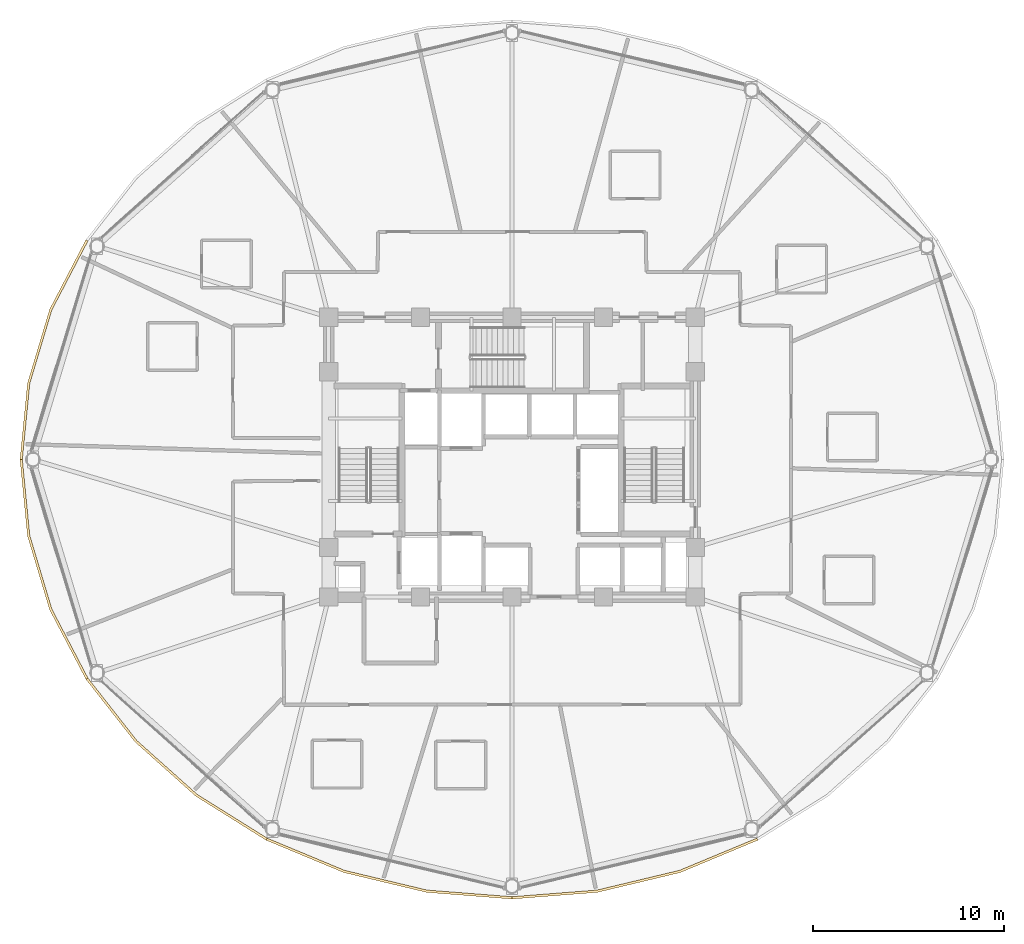
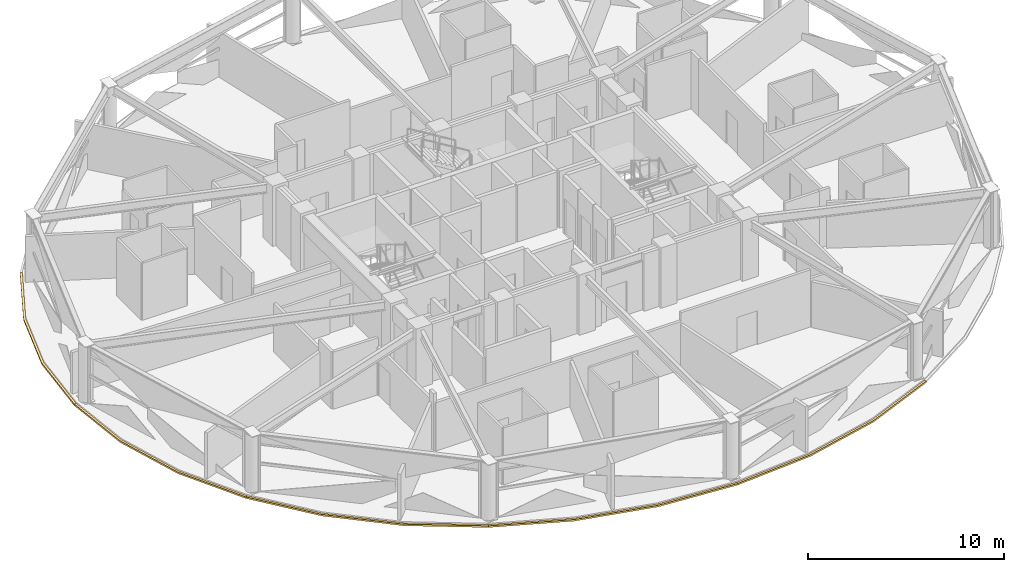
# One storey, part 27 of 30: 5 coverings.
"""IFC4 building model written with IfcOpenShell, lengths in metres."""

import ifcopenshell
import ifcopenshell.guid

model = None  # the IFC model being written
_history = None  # IfcOwnerHistory: only IFC2X3 demands one
_inside = {}  # id of a spatial element -> (the spatial element, [elements in it])
_under = {}  # id of a project, library or spatial element -> (it, [spatial elements below it])
_declared = {}  # id of a project -> (the project, [libraries it declares])
_typed = {}  # id of a type object -> (the type object, [elements of that type])
_made_of = {}  # id of a material, layer set ... -> (it, [elements and type objects made of it])


def new_model(schema):
    """Start an empty IFC model of exactly this schema.

    Asked for "IFC4X3", IfcOpenShell would pick the latest addendum, in which some entities
    have other attributes; the version numbers below select the first issue.
    IFC2X3 requires an IfcOwnerHistory on every rooted entity: one is made here for all.
    """
    global model, _history
    if schema == "IFC4X3":
        model = ifcopenshell.file(schema_version=(4, 3, 0, 0))
    else:
        model = ifcopenshell.file(schema=schema)
    _inside.clear()
    _under.clear()
    _declared.clear()
    _typed.clear()
    _made_of.clear()
    _history = None
    if model.schema == "IFC2X3":
        org = make("IfcOrganization", Name="unknown")
        user = make(
            "IfcPersonAndOrganization",
            ThePerson=make("IfcPerson", FamilyName="unknown"),
            TheOrganization=org,
        )
        app = make(
            "IfcApplication",
            ApplicationDeveloper=org,
            Version="unknown",
            ApplicationFullName="unknown",
            ApplicationIdentifier="unknown",
        )
        _history = make(
            "IfcOwnerHistory",
            OwningUser=user,
            OwningApplication=app,
            ChangeAction="ADDED",
            CreationDate=0,
        )
    return model


def make(cls, **values):
    """One entity of the class cls with the attributes given. An attribute that is None is left unset."""
    return model.create_entity(
        cls, **{name: value for name, value in values.items() if value is not None}
    )


def rooted(cls, **values):
    """An entity with a GlobalId (a new one), such as an element, a storey or a relation."""
    return make(cls, GlobalId=ifcopenshell.guid.new(), OwnerHistory=_history, **values)


def si_unit(unit_type, name, prefix=None):
    """IfcSIUnit, for example si_unit("LENGTHUNIT", "METRE", prefix="MILLI")."""
    return make("IfcSIUnit", UnitType=unit_type, Prefix=prefix, Name=name)


def assignment(units):
    """IfcUnitAssignment: the units of a project."""
    return None if units is None else make("IfcUnitAssignment", Units=units)


def point(xyz):
    """IfcCartesianPoint."""
    return None if xyz is None else make("IfcCartesianPoint", Coordinates=xyz)


def direction(xyz):
    """IfcDirection."""
    return None if xyz is None else make("IfcDirection", DirectionRatios=xyz)


def frame(location, z_axis=None, x_axis=None):
    """IfcAxis2Placement3D, a coordinate frame: its origin and axes. An axis left out is left unset."""
    return make(
        "IfcAxis2Placement3D",
        Location=point(location),
        Axis=direction(z_axis),
        RefDirection=direction(x_axis),
    )


def origin():
    """The frame at (0, 0, 0) with its axes left unset."""
    return frame((0.0, 0.0, 0.0))


def place(relative_to, where):
    """IfcLocalPlacement: puts the frame where relative to a parent placement (None: the world)."""
    return make(
        "IfcLocalPlacement", PlacementRelTo=relative_to, RelativePlacement=where
    )


def context(
    kind, dimensions, precision=None, world=None, true_north=None, identifier=None
):
    """IfcGeometricRepresentationContext, for example the 3D "Model" context."""
    return make(
        "IfcGeometricRepresentationContext",
        ContextIdentifier=identifier,
        ContextType=kind,
        CoordinateSpaceDimension=dimensions,
        Precision=precision,
        WorldCoordinateSystem=world,
        TrueNorth=true_north,
    )


def subcontext(parent, identifier, kind, view, scale=None):
    """IfcGeometricRepresentationSubContext, for example "Body" below "Model"."""
    return make(
        "IfcGeometricRepresentationSubContext",
        ContextIdentifier=identifier,
        ContextType=kind,
        ParentContext=parent,
        TargetScale=scale,
        TargetView=view,
    )


def project(units=None, contexts=None):
    """IfcProject with its units and contexts."""
    return rooted(
        "IfcProject",
        Name="project",
        RepresentationContexts=contexts,
        UnitsInContext=assignment(units),
    )


def spatial(cls, under=None, at=None, **own):
    """A site, building, storey or space (cls), placed at a placement, below another one or the project."""
    s = rooted(cls, ObjectPlacement=at, **own)
    if under is not None:
        _under.setdefault(under.id(), (under, []))[1].append(s)
    return s


def polyline(points):
    """IfcPolyline through the points."""
    return make("IfcPolyline", Points=[point(p) for p in points])


def outline(outer, holes=None, kind="AREA"):
    """IfcArbitraryClosedProfileDef: a profile drawn as a closed curve; with holes, ...WithVoids."""
    if holes is None:
        return make("IfcArbitraryClosedProfileDef", ProfileType=kind, OuterCurve=outer)
    return make(
        "IfcArbitraryProfileDefWithVoids",
        ProfileType=kind,
        OuterCurve=outer,
        InnerCurves=holes,
    )


def extrude(swept, where, along, depth):
    """IfcExtrudedAreaSolid: the profile swept, set in the frame where, extruded along a direction by depth."""
    return make(
        "IfcExtrudedAreaSolid",
        SweptArea=swept,
        Position=where,
        ExtrudedDirection=direction(along),
        Depth=depth,
    )


def shape(context_of_items, identifier, shape_type, items):
    """IfcShapeRepresentation: the items that make up one representation, for example the "Body"."""
    return make(
        "IfcShapeRepresentation",
        ContextOfItems=context_of_items,
        RepresentationIdentifier=identifier,
        RepresentationType=shape_type,
        Items=items,
    )


def material(Name=None, Category=None):
    """IfcMaterial."""
    return make("IfcMaterial", Name=Name, Category=Category)


def layer(
    of_material, thickness, ventilated=None, Name=None, Category=None, Priority=None
):
    """IfcMaterialLayer: one layer of a wall or slab, of a material (None: an air gap)."""
    return make(
        "IfcMaterialLayer",
        Material=of_material,
        LayerThickness=thickness,
        IsVentilated=ventilated,
        Name=Name,
        Category=Category,
        Priority=Priority,
    )


def layer_set(layers, Name=None):
    """IfcMaterialLayerSet."""
    return make("IfcMaterialLayerSet", MaterialLayers=layers, LayerSetName=Name)


def made_of(thing, what):
    """Note that an element or type object is made of a material, layer set ...; save() writes the relation."""
    if what is not None:
        _made_of.setdefault(what.id(), (what, []))[1].append(thing)
    return thing


def type_object(cls, material=None, **own):
    """A type object (cls), such as IfcWallType, which elements share."""
    return made_of(rooted(cls, **own), material)


def element(
    cls,
    number,
    at=None,
    inside=None,
    cuts=None,
    type_object=None,
    material=None,
    context=None,
    identifier="Body",
    shape_type=None,
    held_by="IfcProductDefinitionShape",
    body=None,
    shapes=None,
    **own,
):
    """One element of the class cls, such as IfcWall. Its Tag is "e" and its number.

    at: its placement. inside: the storey or other place that contains it. cuts: it is an
    opening in that element (IfcRelVoidsElement). A single representation is given by context,
    identifier, shape_type and body (its items); several are given by shapes. held_by: the class
    of the entity that holds the representations. save() writes the other relations.
    """
    e = rooted(cls, Tag="e%d" % number, ObjectPlacement=at, **own)
    if body is not None:
        shapes = [shape(context, identifier, shape_type, body)]
    if shapes is not None:
        e.Representation = make(held_by, Representations=shapes)
    if inside is not None:
        _inside.setdefault(inside.id(), (inside, []))[1].append(e)
    if cuts is not None:
        rooted(
            "IfcRelVoidsElement", RelatingBuildingElement=cuts, RelatedOpeningElement=e
        )
    if type_object is not None:
        _typed.setdefault(type_object.id(), (type_object, []))[1].append(e)
    return made_of(e, material)


def aggregate(whole, parts):
    """IfcRelAggregates: a whole, such as a stair, and the parts it consists of."""
    return rooted("IfcRelAggregates", RelatingObject=whole, RelatedObjects=parts)


def save(model, path):
    """Write the relations noted so far, then the file.

    IfcRelAggregates (storeys below a building ...), IfcRelContainedInSpatialStructure (elements
    in a storey), IfcRelDefinesByType, IfcRelAssociatesMaterial and IfcRelDeclares: one each for
    every whole, place, type object, material and project.
    """
    for whole, parts in _under.values():
        aggregate(whole, parts)
    for where, things in _inside.values():
        rooted(
            "IfcRelContainedInSpatialStructure",
            RelatedElements=things,
            RelatingStructure=where,
        )
    for kind, things in _typed.values():
        rooted("IfcRelDefinesByType", RelatedObjects=things, RelatingType=kind)
    for what, things in _made_of.values():
        rooted("IfcRelAssociatesMaterial", RelatedObjects=things, RelatingMaterial=what)
    for by, libraries in _declared.values():
        rooted("IfcRelDeclares", RelatingContext=by, RelatedDefinitions=libraries)
    model.write(path)


model = new_model("IFC4")

# Units and contexts
model_context = context("Model", 3, precision=1e-05, world=origin(), true_north=direction((0.0, 1.0)))
body_context = subcontext(model_context, "Body", "Model", "MODEL_VIEW")
ifc_project = project(units=[si_unit("LENGTHUNIT", "METRE"), si_unit("AREAUNIT", "SQUARE_METRE"), si_unit("VOLUMEUNIT", "CUBIC_METRE"), si_unit("PLANEANGLEUNIT", "RADIAN"), si_unit("MASSUNIT", "GRAM", prefix="KILO")], contexts=[model_context])

# Site, building, storey
site_placement = place(None, origin())
site = spatial("IfcSite", under=ifc_project, at=site_placement, CompositionType="ELEMENT")
building_placement = place(site_placement, origin())
building = spatial("IfcBuilding", under=site, at=building_placement, Name="Vantalir Tower", CompositionType="ELEMENT")
storey_placement = place(building_placement, frame((0.0, 0.0, 130.949951171875)))
storey = spatial("IfcBuildingStorey", under=building, at=storey_placement, Name="L32", CompositionType="ELEMENT", Elevation=130.949951171875)

# Coverings
ifc_material = material(Name="Anodised champagne aluminium sill fascia", Category="aluminium")
ifc_layer = layer(ifc_material, 0.125)
ifc_layer_set = layer_set([ifc_layer], Name="Anodised champagne aluminium sill fascia")
covering_type = type_object("IfcCoveringType", Name="COV-SLAB-FASCIA-125", PredefinedType="CLADDING", material=ifc_layer_set)
covering_1_placement = place(storey_placement, frame((0.0, 0.0, -0.179931640625)))
element("IfcCovering", 1, at=covering_1_placement, inside=storey, type_object=covering_type, Name="L32 Perimeter Slab-Edge Sill Fascia 06", PredefinedType="CLADDING", context=body_context, shape_type="SweptSolid", body=[
    extrude(outline(polyline([(9.18408203125, 36.510009765625), (7.285888671875, 32.873046875), (6.123046875, 28.9970703125), (5.73193359375, 25.0), (5.85693359375, 25.0), (6.2470703125, 28.97607421875), (7.403076171875, 32.8310546875), (9.29296875, 36.447021484375), (9.18408203125, 36.510009765625)])), origin(), (0.0, 0.0, 1.0), 0.10498046875),
])
covering_2_placement = place(storey_placement, frame((0.0, 0.0, -0.179931640625)))
element("IfcCovering", 2, at=covering_2_placement, inside=storey, type_object=covering_type, Name="L32 Perimeter Slab-Edge Sill Fascia 07", PredefinedType="CLADDING", context=body_context, shape_type="SweptSolid", body=[
    extrude(outline(polyline([(5.73193359375, 25.0), (6.123046875, 21.0029296875), (7.285888671875, 17.126953125), (9.18408203125, 13.489990234375), (9.29296875, 13.552001953125), (7.403076171875, 17.1689453125), (6.2470703125, 21.02392578125), (5.85693359375, 25.0), (5.73193359375, 25.0)])), origin(), (0.0, 0.0, 1.0), 0.10498046875),
])
covering_3_placement = place(storey_placement, frame((0.0, 0.0, -0.179931640625)))
element("IfcCovering", 3, at=covering_3_placement, inside=storey, type_object=covering_type, Name="L32 Perimeter Slab-Edge Sill Fascia 08", PredefinedType="CLADDING", context=body_context, shape_type="SweptSolid", body=[
    extrude(outline(polyline([(9.18408203125, 13.489990234375), (11.760986328125, 10.202880859375), (14.93701171875, 7.365966796875), (18.615966796875, 5.06396484375), (18.677978515625, 5.172119140625), (15.01708984375, 7.4609375), (11.85595703125, 10.282958984375), (9.29296875, 13.552001953125), (9.18408203125, 13.489990234375)])), origin(), (0.0, 0.0, 1.0), 0.10498046875),
])
covering_4_placement = place(storey_placement, frame((0.0, 0.0, -0.179931640625)))
element("IfcCovering", 4, at=covering_4_placement, inside=storey, type_object=covering_type, Name="L32 Perimeter Slab-Edge Sill Fascia 09", PredefinedType="CLADDING", context=body_context, shape_type="SweptSolid", body=[
    extrude(outline(polyline([(18.615966796875, 5.06396484375), (22.68701171875, 3.367919921875), (27.02490234375, 2.330078125), (31.5, 1.97998046875), (31.5, 2.10498046875), (27.047119140625, 2.452880859375), (22.72998046875, 3.486083984375), (18.677978515625, 5.172119140625), (18.615966796875, 5.06396484375)])), origin(), (0.0, 0.0, 1.0), 0.10498046875),
])
covering_5_placement = place(storey_placement, frame((0.0, 0.0, -0.179931640625)))
element("IfcCovering", 5, at=covering_5_placement, inside=storey, type_object=covering_type, Name="L32 Perimeter Slab-Edge Sill Fascia 10", PredefinedType="CLADDING", context=body_context, shape_type="SweptSolid", body=[
    extrude(outline(polyline([(31.5, 1.97998046875), (35.97509765625, 2.330078125), (40.31298828125, 3.367919921875), (44.384033203125, 5.06396484375), (44.322021484375, 5.172119140625), (40.27001953125, 3.486083984375), (35.952880859375, 2.452880859375), (31.5, 2.10498046875), (31.5, 1.97998046875)])), origin(), (0.0, 0.0, 1.0), 0.10498046875),
])

save(model, "model.ifc")
